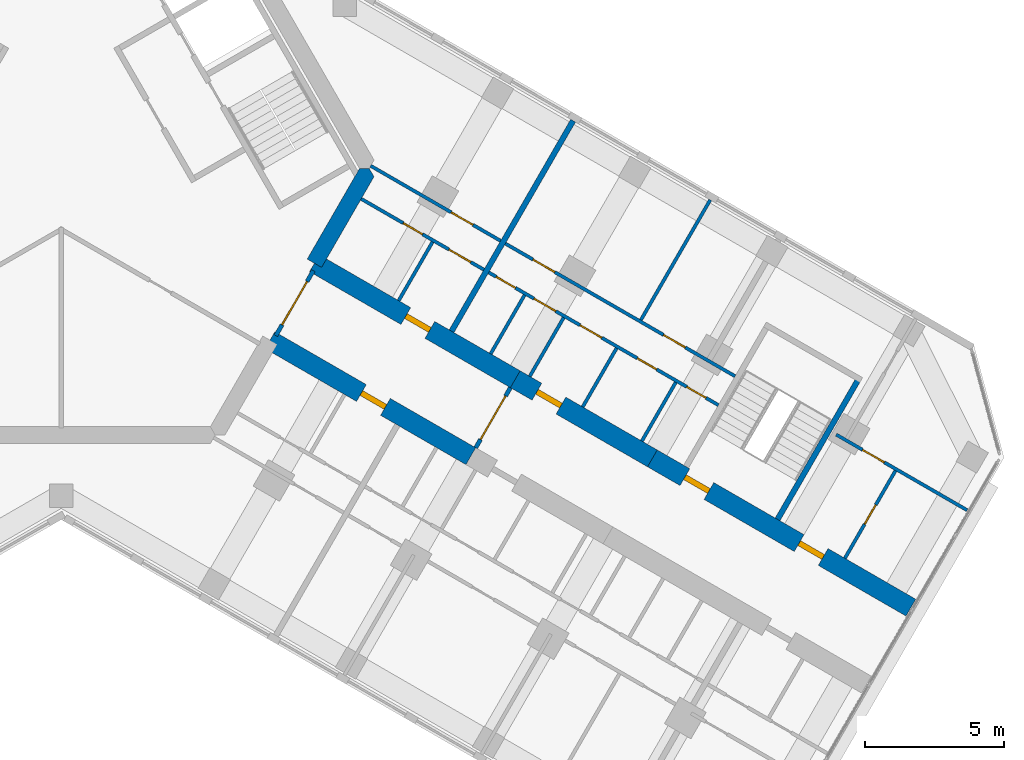
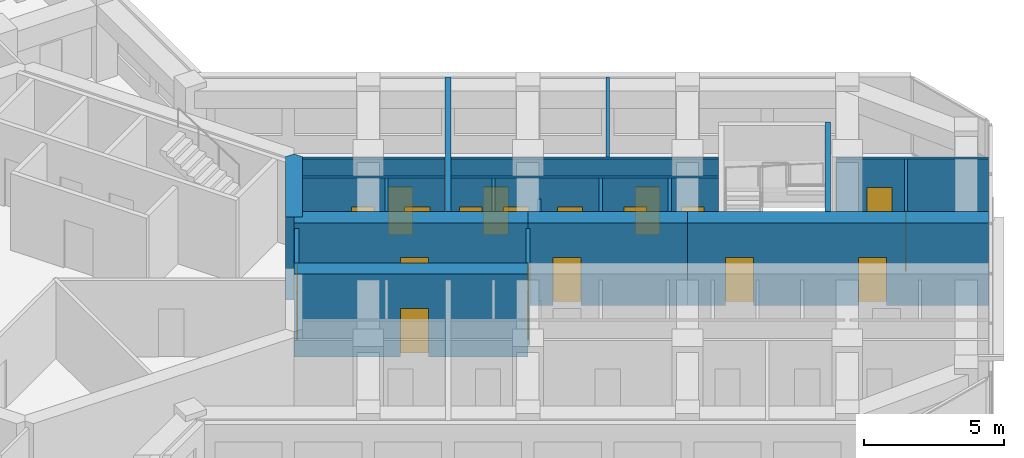
# One storey, part 12 of 16: 21 walls, 19 doors, 19 openings.
"""IFC4 building model written with IfcOpenShell, lengths in metres."""

from ifc_helpers import new_model, si_unit, direction, frame, frame_2d, origin, place, context, subcontext, project, spatial, polyline, rectangle, outline, extrude, material, layer, layer_set, type_object, element, fill, save


model = new_model("IFC4")

# Units and contexts
model_context = context("Model", 3, precision=1e-05, world=origin(), true_north=direction((0.0, 1.0)))
body_context = subcontext(model_context, "Body", "Model", "MODEL_VIEW")
ifc_project = project(units=[si_unit("LENGTHUNIT", "METRE"), si_unit("AREAUNIT", "SQUARE_METRE"), si_unit("VOLUMEUNIT", "CUBIC_METRE"), si_unit("PLANEANGLEUNIT", "RADIAN"), si_unit("MASSUNIT", "GRAM", prefix="KILO")], contexts=[model_context])

# Site, building, storey
site_placement = place(None, origin())
site = spatial("IfcSite", under=ifc_project, at=site_placement, CompositionType="ELEMENT")
building_placement = place(site_placement, origin())
building = spatial("IfcBuilding", under=site, at=building_placement, Name="Kosmar Iwan School Tower", CompositionType="ELEMENT")
storey_placement = place(building_placement, frame((0.0, 0.0, 242.39990234375)))
storey = spatial("IfcBuildingStorey", under=building, at=storey_placement, Name="L61", CompositionType="ELEMENT", Elevation=242.39990234375)

# Wall
ifc_material_1 = material(Name="Concrete C50/60", Category="concrete")
ifc_layer_1 = layer(ifc_material_1, 0.60009765625)
ifc_layer_set_1 = layer_set([ifc_layer_1], Name="Core wall 600")
wall_type_1 = type_object("IfcWallType", Name="Core wall 600", PredefinedType="SHEAR", material=ifc_layer_set_1)
wall_1_placement = place(storey_placement, origin())
element("IfcWall", 1, at=wall_1_placement, inside=storey, type_object=wall_type_1, Name="Core wall F330b", PredefinedType="SHEAR", context=body_context, shape_type="SweptSolid", body=[
    extrude(outline(polyline([(9.37353515625, -3.564453125), (11.25830078125, -0.300048828125), (11.085205078125, 0.0), (10.73876953125, 0.0), (8.85400390625, -3.264404296875), (9.37353515625, -3.564453125)])), origin(), (0.0, 0.0, 1.0), 3.60009765625),
])

# Wall, opening, door
ifc_material_2 = material(Name="Concrete C50/60", Category="concrete")
ifc_layer_2 = layer(ifc_material_2, 0.699951171875)
ifc_layer_set_2 = layer_set([ifc_layer_2], Name="Corridor buttress wall 700")
wall_type_2 = type_object("IfcWallType", Name="Corridor buttress wall 700", PredefinedType="SHEAR", material=ifc_layer_set_2)
wall_2_placement = place(storey_placement, frame((9.11376953125, -3.414306640625, 0.0), z_axis=(0.0, 0.0, 1.0), x_axis=(0.866026859388, -0.499997478812, 0.0)))
wall_2 = element("IfcWall", 2, at=wall_2_placement, inside=storey, type_object=wall_type_2, Name="Corridor wall CL", PredefinedType="SHEAR", context=body_context, shape_type="SweptSolid", body=[
    extrude(rectangle(XDim=8.35009765625, YDim=0.699951171875, at=frame_2d((4.175048828125, 0.0))), origin(), (0.0, 0.0, 1.0), 3.60009765625),
])
opening_1_placement = place(wall_2_placement, frame((3.800048828125, 0.0, 0.0)))
opening_1 = element("IfcOpeningElement", 3, at=opening_1_placement, cuts=wall_2, Name="Opening D1", PredefinedType="OPENING", context=body_context, shape_type="SweptSolid", body=[
    extrude(rectangle(XDim=1.0, YDim=2.10009765625, at=frame_2d((0.5, 1.050048828125))), frame((0.0, 0.362060546875, 0.0), z_axis=(0.0, -1.0, 0.0), x_axis=(1.0, 0.0, 0.0)), (0.0, 0.0, 1.0), 0.723876953125),
])
ifc_material_3 = material(Name="Timber fire door in steel frame", Category="steel")
door_type_1 = type_object("IfcDoorType", Name="Flat entrance door 1000x2100", OperationType="SINGLE_SWING_LEFT", PredefinedType="DOOR", material=ifc_material_3)
door_1_placement = place(opening_1_placement, origin())
door_1 = element("IfcDoor", 4, at=door_1_placement, inside=storey, type_object=door_type_1, Name="Flat L61-CL1 entrance door", OperationType="SINGLE_SWING_LEFT", OverallHeight=2.10009765625, OverallWidth=1.0, PredefinedType="DOOR", context=body_context, shape_type="SweptSolid", body=[
    extrude(rectangle(XDim=1.0, YDim=2.10009765625, at=frame_2d((0.5, 1.050048828125))), frame((0.0, 0.10009765625, 0.0), z_axis=(0.0, -1.0, 0.0), x_axis=(1.0, 0.0, 0.0)), (0.0, 0.0, 1.0), 0.199951171875),
])
fill(opening_1, door_1)

wall_3_placement = place(storey_placement, frame((16.34521484375, -7.58935546875, 0.0), z_axis=(0.0, 0.0, 1.0), x_axis=(0.866015111908, -0.50001782563, 0.0)))
wall_3 = element("IfcWall", 5, at=wall_3_placement, inside=storey, type_object=wall_type_2, Name="Corridor wall CL bay 2", PredefinedType="SHEAR", context=body_context, shape_type="SweptSolid", body=[
    extrude(rectangle(XDim=5.699951171875, YDim=0.699951171875, at=frame_2d((2.85009765625, 0.0))), origin(), (0.0, 0.0, 1.0), 3.60009765625),
])
opening_2_placement = place(wall_3_placement, frame((0.89990234375, 0.0, 0.0)))
opening_2 = element("IfcOpeningElement", 6, at=opening_2_placement, cuts=wall_3, Name="Opening D1", PredefinedType="OPENING", context=body_context, shape_type="SweptSolid", body=[
    extrude(rectangle(XDim=1.0, YDim=2.10009765625, at=frame_2d((0.5, 1.050048828125))), frame((0.0, 0.362060546875, 0.0), z_axis=(0.0, -1.0, 0.0), x_axis=(1.0, 0.0, 0.0)), (0.0, 0.0, 1.0), 0.723876953125),
])
door_2_placement = place(opening_2_placement, origin())
door_2 = element("IfcDoor", 7, at=door_2_placement, inside=storey, type_object=door_type_1, Name="Flat L61-CL2 entrance door", OperationType="SINGLE_SWING_LEFT", OverallHeight=2.10009765625, OverallWidth=1.0, PredefinedType="DOOR", context=body_context, shape_type="SweptSolid", body=[
    extrude(rectangle(XDim=1.0, YDim=2.10009765625, at=frame_2d((0.5, 1.050048828125))), frame((0.0, 0.10009765625, 0.0), z_axis=(0.0, -1.0, 0.0), x_axis=(1.0, 0.0, 0.0)), (0.0, 0.0, 1.0), 0.199951171875),
])
fill(opening_2, door_2)

# Wall, openings, doors
wall_4_placement = place(storey_placement, frame((21.281494140625, -10.439453125, 0.0), z_axis=(0.0, 0.0, 1.0), x_axis=(0.866032345022, -0.499987977232, 0.0)))
wall_4 = element("IfcWall", 8, at=wall_4_placement, inside=storey, type_object=wall_type_2, Name="Corridor wall CL bay 3", PredefinedType="SHEAR", context=body_context, shape_type="SweptSolid", body=[
    extrude(rectangle(XDim=10.744873046875, YDim=0.699951171875, at=frame_2d((5.37255859375, 0.0))), origin(), (0.0, 0.0, 1.0), 3.60009765625),
])
opening_3_placement = place(wall_4_placement, frame((6.10009765625, 0.0, 0.0)))
opening_3 = element("IfcOpeningElement", 9, at=opening_3_placement, cuts=wall_4, Name="Opening D1", PredefinedType="OPENING", context=body_context, shape_type="SweptSolid", body=[
    extrude(rectangle(XDim=1.0, YDim=2.10009765625, at=frame_2d((0.5, 1.050048828125))), frame((0.0, 0.362060546875, 0.0), z_axis=(0.0, -1.0, 0.0), x_axis=(1.0, 0.0, 0.0)), (0.0, 0.0, 1.0), 0.723876953125),
])
opening_4_placement = place(wall_4_placement, frame((1.35009765625, 0.0, 0.0)))
opening_4 = element("IfcOpeningElement", 10, at=opening_4_placement, cuts=wall_4, Name="Opening D6", PredefinedType="OPENING", context=body_context, shape_type="SweptSolid", body=[
    extrude(rectangle(XDim=1.0, YDim=2.10009765625, at=frame_2d((0.5, 1.050048828125))), frame((0.0, 0.362060546875, 0.0), z_axis=(0.0, -1.0, 0.0), x_axis=(1.0, 0.0, 0.0)), (0.0, 0.0, 1.0), 0.723876953125),
])
door_3_placement = place(opening_3_placement, origin())
door_3 = element("IfcDoor", 11, at=door_3_placement, inside=storey, type_object=door_type_1, Name="Flat L61-CL3 entrance door", OperationType="SINGLE_SWING_RIGHT", OverallHeight=2.10009765625, OverallWidth=1.0, PredefinedType="DOOR", context=body_context, shape_type="SweptSolid", body=[
    extrude(rectangle(XDim=1.0, YDim=2.10009765625, at=frame_2d((0.5, 1.050048828125))), frame((0.0, 0.10009765625, 0.0), z_axis=(0.0, -1.0, 0.0), x_axis=(1.0, 0.0, 0.0)), (0.0, 0.0, 1.0), 0.199951171875),
])
fill(opening_3, door_3)
ifc_material_4 = material(Name="Steel fire door", Category="steel")
door_type_2 = type_object("IfcDoorType", Name="Stair door 1000x2100", OperationType="SINGLE_SWING_LEFT", PredefinedType="DOOR", material=ifc_material_4)
door_4_placement = place(opening_4_placement, origin())
door_4 = element("IfcDoor", 12, at=door_4_placement, inside=storey, type_object=door_type_2, Name="Stair WS3 door L61", OperationType="SINGLE_SWING_LEFT", OverallHeight=2.10009765625, OverallWidth=1.0, PredefinedType="DOOR", context=body_context, shape_type="SweptSolid", body=[
    extrude(rectangle(XDim=1.0, YDim=2.10009765625, at=frame_2d((0.5, 1.050048828125))), frame((0.0, 0.10009765625, 0.0), z_axis=(0.0, -1.0, 0.0), x_axis=(1.0, 0.0, 0.0)), (0.0, 0.0, 1.0), 0.199951171875),
])
fill(opening_4, door_4)

# Wall, opening, door
wall_5_placement = place(storey_placement, frame((7.513916015625, -6.185546875, 0.0), z_axis=(0.0, 0.0, 1.0), x_axis=(0.866019549707, -0.500010139422, 0.0)))
wall_5 = element("IfcWall", 13, at=wall_5_placement, inside=storey, type_object=wall_type_2, Name="Corridor wall CR", PredefinedType="SHEAR", context=body_context, shape_type="SweptSolid", body=[
    extrude(rectangle(XDim=8.349853515625, YDim=0.699951171875, at=frame_2d((4.1748046875, 0.0))), origin(), (0.0, 0.0, 1.0), 3.60009765625),
])
opening_5_placement = place(wall_5_placement, frame((3.800048828125, 0.0, 0.0)))
opening_5 = element("IfcOpeningElement", 14, at=opening_5_placement, cuts=wall_5, Name="Opening D1", PredefinedType="OPENING", context=body_context, shape_type="SweptSolid", body=[
    extrude(rectangle(XDim=1.0, YDim=2.10009765625, at=frame_2d((0.5, 1.050048828125))), frame((0.0, 0.362060546875, 0.0), z_axis=(0.0, -1.0, 0.0), x_axis=(1.0, 0.0, 0.0)), (0.0, 0.0, 1.0), 0.723876953125),
])
door_5_placement = place(opening_5_placement, origin())
door_5 = element("IfcDoor", 15, at=door_5_placement, inside=storey, type_object=door_type_1, Name="Flat L61-CR1 entrance door", OperationType="SINGLE_SWING_RIGHT", OverallHeight=2.10009765625, OverallWidth=1.0, PredefinedType="DOOR", context=body_context, shape_type="SweptSolid", body=[
    extrude(rectangle(XDim=1.0, YDim=2.10009765625, at=frame_2d((0.5, 1.050048828125))), frame((0.0, 0.10009765625, 0.0), z_axis=(0.0, -1.0, 0.0), x_axis=(1.0, 0.0, 0.0)), (0.0, 0.0, 1.0), 0.199951171875),
])
fill(opening_5, door_5)

ifc_material_5 = material(Name="Gypsum board on steel studs, fire-rated", Category="steel")
ifc_layer_3 = layer(ifc_material_5, 0.14990234375)
ifc_layer_set_3 = layer_set([ifc_layer_3], Name="Corridor end wall 150")
wall_type_3 = type_object("IfcWallType", Name="Corridor end wall 150", PredefinedType="PARTITIONING", material=ifc_layer_set_3)
wall_6_placement = place(storey_placement, frame((14.920166015625, -10.0576171875, 0.0), z_axis=(0.0, 0.0, 1.0), x_axis=(0.500004234368, 0.866022959057, 0.0)))
wall_6 = element("IfcWall", 16, at=wall_6_placement, inside=storey, type_object=wall_type_3, Name="Partition L61-C-HW", PredefinedType="PARTITIONING", context=body_context, shape_type="SweptSolid", body=[
    extrude(rectangle(XDim=2.5, YDim=0.14990234375, at=frame_2d((1.25, 0.0))), origin(), (0.0, 0.0, 1.0), 3.35009765625),
])
opening_6_placement = place(wall_6_placement, frame((0.35009765625, 0.0, 0.0)))
opening_6 = element("IfcOpeningElement", 17, at=opening_6_placement, cuts=wall_6, Name="Opening D9", PredefinedType="OPENING", context=body_context, shape_type="SweptSolid", body=[
    extrude(rectangle(XDim=1.800048828125, YDim=2.10009765625, at=frame_2d((0.89990234375, 1.050048828125))), frame((0.0, 0.0869140625, 0.0), z_axis=(0.0, -1.0, 0.0), x_axis=(1.0, 0.0, 0.0)), (0.0, 0.0, 1.0), 0.173828125),
])
ifc_material_6 = material(Name="Steel framed glazed smoke door", Category="steel")
door_type_3 = type_object("IfcDoorType", Name="Corridor smoke door pair 1800x2100", OperationType="DOUBLE_DOOR_DOUBLE_SWING", PredefinedType="DOOR", material=ifc_material_6)
door_6_placement = place(opening_6_placement, origin())
door_6 = element("IfcDoor", 18, at=door_6_placement, inside=storey, type_object=door_type_3, Name="Entrance vestibule smoke doors L61-C", OperationType="DOUBLE_DOOR_DOUBLE_SWING", OverallHeight=2.10009765625, OverallWidth=1.800048828125, PredefinedType="DOOR", context=body_context, shape_type="SweptSolid", body=[
    extrude(rectangle(XDim=1.800048828125, YDim=2.10009765625, at=frame_2d((0.89990234375, 1.050048828125))), frame((0.0, 0.02490234375, 0.0), z_axis=(0.0, -1.0, 0.0), x_axis=(1.0, 0.0, 0.0)), (0.0, 0.0, 1.0), 0.050048828125),
])
fill(opening_6, door_6)

ifc_material_7 = material(Name="Steel framed glazed screen", Category="steel")
ifc_layer_4 = layer(ifc_material_7, 0.14990234375)
ifc_layer_set_4 = layer_set([ifc_layer_4], Name="Corridor screen wall 150")
wall_type_4 = type_object("IfcWallType", Name="Corridor screen wall 150", PredefinedType="PARTITIONING", material=ifc_layer_set_4)
wall_7_placement = place(storey_placement, frame((7.725341796875, -6.01904296875, 0.0), z_axis=(0.0, 0.0, 1.0), x_axis=(0.500048589285, 0.86599734893, 0.0)))
wall_7 = element("IfcWall", 19, at=wall_7_placement, inside=storey, type_object=wall_type_4, Name="Corridor screen C L61", PredefinedType="PARTITIONING", context=body_context, shape_type="SweptSolid", body=[
    extrude(rectangle(XDim=2.699951171875, YDim=0.14990234375, at=frame_2d((1.35009765625, 0.0))), origin(), (0.0, 0.0, 1.0), 3.35009765625),
])
opening_7_placement = place(wall_7_placement, frame((0.449951171875, 0.0, 0.0)))
opening_7 = element("IfcOpeningElement", 20, at=opening_7_placement, cuts=wall_7, Name="Opening D9", PredefinedType="OPENING", context=body_context, shape_type="SweptSolid", body=[
    extrude(rectangle(XDim=1.800048828125, YDim=2.10009765625, at=frame_2d((0.89990234375, 1.050048828125))), frame((0.0, 0.0869140625, 0.0), z_axis=(0.0, -1.0, 0.0), x_axis=(1.0, 0.0, 0.0)), (0.0, 0.0, 1.0), 0.173828125),
])
door_7_placement = place(opening_7_placement, origin())
door_7 = element("IfcDoor", 21, at=door_7_placement, inside=storey, type_object=door_type_3, Name="Corridor doors C L61", OperationType="DOUBLE_DOOR_DOUBLE_SWING", OverallHeight=2.10009765625, OverallWidth=1.800048828125, PredefinedType="DOOR", context=body_context, shape_type="SweptSolid", body=[
    extrude(rectangle(XDim=1.800048828125, YDim=2.10009765625, at=frame_2d((0.89990234375, 1.050048828125))), frame((0.0, 0.02490234375, 0.0), z_axis=(0.0, -1.0, 0.0), x_axis=(1.0, 0.0, 0.0)), (0.0, 0.0, 1.0), 0.050048828125),
])
fill(opening_7, door_7)

# Wall, openings, doors
ifc_material_8 = material(Name="Gypsum board on steel studs", Category="steel")
ifc_layer_5 = layer(ifc_material_8, 0.1201171875)
ifc_layer_set_5 = layer_set([ifc_layer_5], Name="Dwelling partition 120")
wall_type_5 = type_object("IfcWallType", Name="Dwelling partition 120", PredefinedType="PARTITIONING", material=ifc_layer_set_5)
wall_8_placement = place(storey_placement, frame((10.798583984375, -1.09619140625, 0.0), z_axis=(0.0, 0.0, 1.0), x_axis=(0.86602216432, -0.500005610874, 0.0)))
wall_8 = element("IfcWall", 22, at=wall_8_placement, inside=storey, type_object=wall_type_5, Name="Partition L61-CL1-W1", PredefinedType="PARTITIONING", context=body_context, shape_type="SweptSolid", body=[
    extrude(rectangle(XDim=5.10009765625, YDim=0.1201171875, at=frame_2d((2.550048828125, 0.0))), origin(), (0.0, 0.0, 1.0), 3.35009765625),
])
opening_8_placement = place(wall_8_placement, frame((1.75, 0.0, 0.0)))
opening_8 = element("IfcOpeningElement", 23, at=opening_8_placement, cuts=wall_8, Name="Opening D3", PredefinedType="OPENING", context=body_context, shape_type="SweptSolid", body=[
    extrude(rectangle(XDim=0.800048828125, YDim=2.10009765625, at=frame_2d((0.39990234375, 1.050048828125))), frame((0.0, 0.072021484375, 0.0), z_axis=(0.0, -1.0, 0.0), x_axis=(1.0, 0.0, 0.0)), (0.0, 0.0, 1.0), 0.14404296875),
])
opening_9_placement = place(wall_8_placement, frame((3.64990234375, 0.0, 0.0)))
opening_9 = element("IfcOpeningElement", 24, at=opening_9_placement, cuts=wall_8, Name="Opening D2", PredefinedType="OPENING", context=body_context, shape_type="SweptSolid", body=[
    extrude(rectangle(XDim=0.89990234375, YDim=2.10009765625, at=frame_2d((0.449951171875, 1.050048828125))), frame((0.0, 0.072021484375, 0.0), z_axis=(0.0, -1.0, 0.0), x_axis=(1.0, 0.0, 0.0)), (0.0, 0.0, 1.0), 0.14404296875),
])
ifc_material_9 = material(Name="Timber door in timber frame", Category="wood")
door_type_4 = type_object("IfcDoorType", Name="Internal door 900x2100", OperationType="SINGLE_SWING_LEFT", PredefinedType="DOOR", material=ifc_material_9)
door_8_placement = place(opening_9_placement, origin())
door_8 = element("IfcDoor", 25, at=door_8_placement, inside=storey, type_object=door_type_4, Name="Entrance hall door L61-CL1-S2", OperationType="SINGLE_SWING_RIGHT", OverallHeight=2.10009765625, OverallWidth=0.89990234375, PredefinedType="DOOR", context=body_context, shape_type="SweptSolid", body=[
    extrude(rectangle(XDim=0.89990234375, YDim=2.10009765625, at=frame_2d((0.449951171875, 1.050048828125))), frame((0.0, 0.02490234375, 0.0), z_axis=(0.0, -1.0, 0.0), x_axis=(1.0, 0.0, 0.0)), (0.0, 0.0, 1.0), 0.050048828125),
])
fill(opening_9, door_8)
ifc_material_10 = material(Name="Timber door in timber frame", Category="wood")
door_type_5 = type_object("IfcDoorType", Name="Sanitary room door 800x2100", OperationType="SINGLE_SWING_LEFT", PredefinedType="DOOR", material=ifc_material_10)
door_9_placement = place(opening_8_placement, origin())
door_9 = element("IfcDoor", 26, at=door_9_placement, inside=storey, type_object=door_type_5, Name="Bathroom door L61-CL1-S1", OperationType="SINGLE_SWING_LEFT", OverallHeight=2.10009765625, OverallWidth=0.800048828125, PredefinedType="DOOR", context=body_context, shape_type="SweptSolid", body=[
    extrude(rectangle(XDim=0.800048828125, YDim=2.10009765625, at=frame_2d((0.39990234375, 1.050048828125))), frame((0.0, 0.02490234375, 0.0), z_axis=(0.0, -1.0, 0.0), x_axis=(1.0, 0.0, 0.0)), (0.0, 0.0, 1.0), 0.050048828125),
])
fill(opening_8, door_9)

# Wall, opening, door
wall_9_placement = place(storey_placement, frame((11.138916015625, 0.093017578125, 0.0), z_axis=(0.0, 0.0, 1.0), x_axis=(0.866028230842, -0.499995103361, 0.0)))
wall_9 = element("IfcWall", 27, at=wall_9_placement, inside=storey, type_object=wall_type_5, Name="Partition L61-CL1-W2", PredefinedType="PARTITIONING", context=body_context, shape_type="SweptSolid", body=[
    extrude(rectangle(XDim=5.39990234375, YDim=0.1201171875, at=frame_2d((2.699951171875, 0.0))), origin(), (0.0, 0.0, 1.0), 3.35009765625),
])
opening_10_placement = place(wall_9_placement, frame((3.35009765625, 0.0, 0.0)))
opening_10 = element("IfcOpeningElement", 28, at=opening_10_placement, cuts=wall_9, Name="Opening D2", PredefinedType="OPENING", context=body_context, shape_type="SweptSolid", body=[
    extrude(rectangle(XDim=0.89990234375, YDim=2.10009765625, at=frame_2d((0.449951171875, 1.050048828125))), frame((0.0, 0.072021484375, 0.0), z_axis=(0.0, -1.0, 0.0), x_axis=(1.0, 0.0, 0.0)), (0.0, 0.0, 1.0), 0.14404296875),
])
door_10_placement = place(opening_10_placement, origin())
door_10 = element("IfcDoor", 29, at=door_10_placement, inside=storey, type_object=door_type_4, Name="Studio living room and kitchen door L61-CL1-F1", OperationType="SINGLE_SWING_RIGHT", OverallHeight=2.10009765625, OverallWidth=0.89990234375, PredefinedType="DOOR", context=body_context, shape_type="SweptSolid", body=[
    extrude(rectangle(XDim=0.89990234375, YDim=2.10009765625, at=frame_2d((0.449951171875, 1.050048828125))), frame((0.0, 0.02490234375, 0.0), z_axis=(0.0, -1.0, 0.0), x_axis=(1.0, 0.0, 0.0)), (0.0, 0.0, 1.0), 0.050048828125),
])
fill(opening_10, door_10)

# Wall
wall_10_placement = place(storey_placement, frame((12.146728515625, -4.76123046875, 0.0), z_axis=(0.0, 0.0, 1.0), x_axis=(0.500002508028, 0.866023955769, 0.0)))
element("IfcWall", 30, at=wall_10_placement, inside=storey, type_object=wall_type_5, Name="Partition L61-CL1-Y1", PredefinedType="PARTITIONING", context=body_context, shape_type="SweptSolid", body=[
    extrude(rectangle(XDim=2.43994140625, YDim=0.1201171875, at=frame_2d((1.219970703125, 0.0))), origin(), (0.0, 0.0, 1.0), 3.35009765625),
])

# Wall, openings, doors
wall_11_placement = place(storey_placement, frame((15.388671875, -3.74609375, 0.0), z_axis=(0.0, 0.0, 1.0), x_axis=(0.866017851049, -0.500013081493, 0.0)))
wall_11 = element("IfcWall", 31, at=wall_11_placement, inside=storey, type_object=wall_type_5, Name="Partition L61-CL2-W1", PredefinedType="PARTITIONING", context=body_context, shape_type="SweptSolid", body=[
    extrude(rectangle(XDim=9.550048828125, YDim=0.1201171875, at=frame_2d((4.77490234375, 0.0))), origin(), (0.0, 0.0, 1.0), 3.35009765625),
])
opening_11_placement = place(wall_11_placement, frame((0.3125, 0.0, 0.0)))
opening_11 = element("IfcOpeningElement", 32, at=opening_11_placement, cuts=wall_11, Name="Opening D3", PredefinedType="OPENING", context=body_context, shape_type="SweptSolid", body=[
    extrude(rectangle(XDim=0.800048828125, YDim=2.10009765625, at=frame_2d((0.39990234375, 1.050048828125))), frame((0.0, 0.072021484375, 0.0), z_axis=(0.0, -1.0, 0.0), x_axis=(1.0, 0.0, 0.0)), (0.0, 0.0, 1.0), 0.14404296875),
])
opening_12_placement = place(wall_11_placement, frame((1.887451171875, 0.0, 0.0)))
opening_12 = element("IfcOpeningElement", 33, at=opening_12_placement, cuts=wall_11, Name="Opening D2", PredefinedType="OPENING", context=body_context, shape_type="SweptSolid", body=[
    extrude(rectangle(XDim=0.89990234375, YDim=2.10009765625, at=frame_2d((0.449951171875, 1.050048828125))), frame((0.0, 0.072021484375, 0.0), z_axis=(0.0, -1.0, 0.0), x_axis=(1.0, 0.0, 0.0)), (0.0, 0.0, 1.0), 0.14404296875),
])
opening_13_placement = place(wall_11_placement, frame((3.800048828125, 0.0, 0.0)))
opening_13 = element("IfcOpeningElement", 34, at=opening_13_placement, cuts=wall_11, Name="Opening D2", PredefinedType="OPENING", context=body_context, shape_type="SweptSolid", body=[
    extrude(rectangle(XDim=0.89990234375, YDim=2.10009765625, at=frame_2d((0.449951171875, 1.050048828125))), frame((0.0, 0.072021484375, 0.0), z_axis=(0.0, -1.0, 0.0), x_axis=(1.0, 0.0, 0.0)), (0.0, 0.0, 1.0), 0.14404296875),
])
opening_14_placement = place(wall_11_placement, frame((6.179931640625, 0.0, 0.0)))
opening_14 = element("IfcOpeningElement", 35, at=opening_14_placement, cuts=wall_11, Name="Opening D3", PredefinedType="OPENING", context=body_context, shape_type="SweptSolid", body=[
    extrude(rectangle(XDim=0.800048828125, YDim=2.10009765625, at=frame_2d((0.39990234375, 1.050048828125))), frame((0.0, 0.072021484375, 0.0), z_axis=(0.0, -1.0, 0.0), x_axis=(1.0, 0.0, 0.0)), (0.0, 0.0, 1.0), 0.14404296875),
])
opening_15_placement = place(wall_11_placement, frame((8.22998046875, 0.0, 0.0)))
opening_15 = element("IfcOpeningElement", 36, at=opening_15_placement, cuts=wall_11, Name="Opening D3", PredefinedType="OPENING", context=body_context, shape_type="SweptSolid", body=[
    extrude(rectangle(XDim=0.800048828125, YDim=2.10009765625, at=frame_2d((0.39990234375, 1.050048828125))), frame((0.0, 0.072021484375, 0.0), z_axis=(0.0, -1.0, 0.0), x_axis=(1.0, 0.0, 0.0)), (0.0, 0.0, 1.0), 0.14404296875),
])
door_11_placement = place(opening_12_placement, origin())
door_11 = element("IfcDoor", 37, at=door_11_placement, inside=storey, type_object=door_type_4, Name="Pantry door L61-CL2-S2", OperationType="SINGLE_SWING_LEFT", OverallHeight=2.10009765625, OverallWidth=0.89990234375, PredefinedType="DOOR", context=body_context, shape_type="SweptSolid", body=[
    extrude(rectangle(XDim=0.89990234375, YDim=2.10009765625, at=frame_2d((0.449951171875, 1.050048828125))), frame((0.0, 0.02490234375, 0.0), z_axis=(0.0, -1.0, 0.0), x_axis=(1.0, 0.0, 0.0)), (0.0, 0.0, 1.0), 0.050048828125),
])
fill(opening_12, door_11)
door_12_placement = place(opening_13_placement, origin())
door_12 = element("IfcDoor", 38, at=door_12_placement, inside=storey, type_object=door_type_4, Name="Entrance hall door L61-CL2-S3", OperationType="SINGLE_SWING_LEFT", OverallHeight=2.10009765625, OverallWidth=0.89990234375, PredefinedType="DOOR", context=body_context, shape_type="SweptSolid", body=[
    extrude(rectangle(XDim=0.89990234375, YDim=2.10009765625, at=frame_2d((0.449951171875, 1.050048828125))), frame((0.0, 0.02490234375, 0.0), z_axis=(0.0, -1.0, 0.0), x_axis=(1.0, 0.0, 0.0)), (0.0, 0.0, 1.0), 0.050048828125),
])
fill(opening_13, door_12)
door_13_placement = place(opening_11_placement, origin())
door_13 = element("IfcDoor", 39, at=door_13_placement, inside=storey, type_object=door_type_5, Name="Store door L61-CL2-S1", OperationType="SINGLE_SWING_LEFT", OverallHeight=2.10009765625, OverallWidth=0.800048828125, PredefinedType="DOOR", context=body_context, shape_type="SweptSolid", body=[
    extrude(rectangle(XDim=0.800048828125, YDim=2.10009765625, at=frame_2d((0.39990234375, 1.050048828125))), frame((0.0, 0.02490234375, 0.0), z_axis=(0.0, -1.0, 0.0), x_axis=(1.0, 0.0, 0.0)), (0.0, 0.0, 1.0), 0.050048828125),
])
fill(opening_11, door_13)
door_14_placement = place(opening_14_placement, origin())
door_14 = element("IfcDoor", 40, at=door_14_placement, inside=storey, type_object=door_type_5, Name="Bathroom door L61-CL2-S4", OperationType="SINGLE_SWING_RIGHT", OverallHeight=2.10009765625, OverallWidth=0.800048828125, PredefinedType="DOOR", context=body_context, shape_type="SweptSolid", body=[
    extrude(rectangle(XDim=0.800048828125, YDim=2.10009765625, at=frame_2d((0.39990234375, 1.050048828125))), frame((0.0, 0.02490234375, 0.0), z_axis=(0.0, -1.0, 0.0), x_axis=(1.0, 0.0, 0.0)), (0.0, 0.0, 1.0), 0.050048828125),
])
fill(opening_14, door_14)
door_15_placement = place(opening_15_placement, origin())
door_15 = element("IfcDoor", 41, at=door_15_placement, inside=storey, type_object=door_type_5, Name="WC door L61-CL2-S5", OperationType="SINGLE_SWING_RIGHT", OverallHeight=2.10009765625, OverallWidth=0.800048828125, PredefinedType="DOOR", context=body_context, shape_type="SweptSolid", body=[
    extrude(rectangle(XDim=0.800048828125, YDim=2.10009765625, at=frame_2d((0.39990234375, 1.050048828125))), frame((0.0, 0.02490234375, 0.0), z_axis=(0.0, -1.0, 0.0), x_axis=(1.0, 0.0, 0.0)), (0.0, 0.0, 1.0), 0.050048828125),
])
fill(opening_15, door_15)

wall_12_placement = place(storey_placement, frame((15.988525390625, -2.70703125, 0.0), z_axis=(0.0, 0.0, 1.0), x_axis=(0.866028920859, -0.499993908199, 0.0)))
wall_12 = element("IfcWall", 42, at=wall_12_placement, inside=storey, type_object=wall_type_5, Name="Partition L61-CL2-W2", PredefinedType="PARTITIONING", context=body_context, shape_type="SweptSolid", body=[
    extrude(rectangle(XDim=9.5498046875, YDim=0.1201171875, at=frame_2d((4.77490234375, 0.0))), origin(), (0.0, 0.0, 1.0), 3.35009765625),
])
opening_16_placement = place(wall_12_placement, frame((1.14990234375, 0.0, 0.0)))
opening_16 = element("IfcOpeningElement", 43, at=opening_16_placement, cuts=wall_12, Name="Opening D2", PredefinedType="OPENING", context=body_context, shape_type="SweptSolid", body=[
    extrude(rectangle(XDim=0.89990234375, YDim=2.10009765625, at=frame_2d((0.449951171875, 1.050048828125))), frame((0.0, 0.072021484375, 0.0), z_axis=(0.0, -1.0, 0.0), x_axis=(1.0, 0.0, 0.0)), (0.0, 0.0, 1.0), 0.14404296875),
])
opening_17_placement = place(wall_12_placement, frame((6.574951171875, 0.0, 0.0)))
opening_17 = element("IfcOpeningElement", 44, at=opening_17_placement, cuts=wall_12, Name="Opening D2", PredefinedType="OPENING", context=body_context, shape_type="SweptSolid", body=[
    extrude(rectangle(XDim=0.89990234375, YDim=2.10009765625, at=frame_2d((0.449951171875, 1.050048828125))), frame((0.0, 0.072021484375, 0.0), z_axis=(0.0, -1.0, 0.0), x_axis=(1.0, 0.0, 0.0)), (0.0, 0.0, 1.0), 0.14404296875),
])
door_16_placement = place(opening_16_placement, origin())
door_16 = element("IfcDoor", 45, at=door_16_placement, inside=storey, type_object=door_type_4, Name="Living room and kitchen door L61-CL2-F1", OperationType="SINGLE_SWING_LEFT", OverallHeight=2.10009765625, OverallWidth=0.89990234375, PredefinedType="DOOR", context=body_context, shape_type="SweptSolid", body=[
    extrude(rectangle(XDim=0.89990234375, YDim=2.10009765625, at=frame_2d((0.449951171875, 1.050048828125))), frame((0.0, 0.02490234375, 0.0), z_axis=(0.0, -1.0, 0.0), x_axis=(1.0, 0.0, 0.0)), (0.0, 0.0, 1.0), 0.050048828125),
])
fill(opening_16, door_16)
door_17_placement = place(opening_17_placement, origin())
door_17 = element("IfcDoor", 46, at=door_17_placement, inside=storey, type_object=door_type_4, Name="Bedroom 1 door L61-CL2-F2", OperationType="SINGLE_SWING_RIGHT", OverallHeight=2.10009765625, OverallWidth=0.89990234375, PredefinedType="DOOR", context=body_context, shape_type="SweptSolid", body=[
    extrude(rectangle(XDim=0.89990234375, YDim=2.10009765625, at=frame_2d((0.449951171875, 1.050048828125))), frame((0.0, 0.02490234375, 0.0), z_axis=(0.0, -1.0, 0.0), x_axis=(1.0, 0.0, 0.0)), (0.0, 0.0, 1.0), 0.050048828125),
])
fill(opening_17, door_17)

# Walls
wall_13_placement = place(storey_placement, frame((20.868408203125, -5.455078125, 0.0), z_axis=(0.0, 0.0, 1.0), x_axis=(0.499975153383, 0.86603974851, 0.0)))
element("IfcWall", 47, at=wall_13_placement, inside=storey, type_object=wall_type_5, Name="Partition L61-CL2-X1", PredefinedType="PARTITIONING", context=body_context, shape_type="SweptSolid", body=[
    extrude(rectangle(XDim=4.989990234375, YDim=0.1201171875, at=frame_2d((2.4951171875, 0.0))), origin(), (0.0, 0.0, 1.0), 3.35009765625),
])
wall_14_placement = place(storey_placement, frame((15.459228515625, -6.673828125, 0.0), z_axis=(0.0, 0.0, 1.0), x_axis=(0.499959183527, 0.866048967903, 0.0)))
element("IfcWall", 48, at=wall_14_placement, inside=storey, type_object=wall_type_5, Name="Partition L61-CL2-Y1", PredefinedType="PARTITIONING", context=body_context, shape_type="SweptSolid", body=[
    extrude(rectangle(XDim=2.440185546875, YDim=0.1201171875, at=frame_2d((1.22021484375, 0.0))), origin(), (0.0, 0.0, 1.0), 3.35009765625),
])
wall_15_placement = place(storey_placement, frame((16.866455078125, -7.486328125, 0.0), z_axis=(0.0, 0.0, 1.0), x_axis=(0.500034220881, 0.866005645448, 0.0)))
element("IfcWall", 49, at=wall_15_placement, inside=storey, type_object=wall_type_5, Name="Partition L61-CL2-Y2", PredefinedType="PARTITIONING", context=body_context, shape_type="SweptSolid", body=[
    extrude(rectangle(XDim=2.440185546875, YDim=0.1201171875, at=frame_2d((1.22021484375, 0.0))), origin(), (0.0, 0.0, 1.0), 2.4501953125),
])
for number, where, z_axis, x_axis, name in (
    (50, (18.771728515625, -8.586181640625, 0.0), (0.0, 0.0, 1.0), (0.500077547548, 0.865980627057, 0.0), "Partition L61-CL2-Y3"),
    (51, (20.90234375, -9.816162109375, 0.0), (0.0, 0.0, 1.0), (0.500002508028, 0.866023955769, 0.0), "Partition L61-CL2-Y4"),
):
    element("IfcWall", number, at=place(storey_placement, frame(where, z_axis=z_axis, x_axis=x_axis)), inside=storey, type_object=wall_type_5, Name=name, PredefinedType="PARTITIONING", context=body_context, shape_type="SweptSolid", body=[
        extrude(rectangle(XDim=2.43994140625, YDim=0.1201171875, at=frame_2d((1.219970703125, 0.0))), origin(), (0.0, 0.0, 1.0), 3.35009765625),
    ])

# Wall, opening, door
wall_16_placement = place(storey_placement, frame((27.896484375, -9.58203125, 0.0), z_axis=(0.0, 0.0, 1.0), x_axis=(0.866035508231, -0.499982498177, 0.0)))
wall_16 = element("IfcWall", 52, at=wall_16_placement, inside=storey, type_object=wall_type_5, Name="Partition L61-CL3-TW", PredefinedType="PARTITIONING", context=body_context, shape_type="SweptSolid", body=[
    extrude(rectangle(XDim=5.445068359375, YDim=0.1201171875, at=frame_2d((2.72265625, 0.0))), origin(), (0.0, 0.0, 1.0), 3.35009765625),
])
opening_18_placement = place(wall_16_placement, frame((1.10009765625, 0.0, 0.0)))
opening_18 = element("IfcOpeningElement", 53, at=opening_18_placement, cuts=wall_16, Name="Opening D2", PredefinedType="OPENING", context=body_context, shape_type="SweptSolid", body=[
    extrude(rectangle(XDim=0.89990234375, YDim=2.10009765625, at=frame_2d((0.449951171875, 1.050048828125))), frame((0.0, 0.072021484375, 0.0), z_axis=(0.0, -1.0, 0.0), x_axis=(1.0, 0.0, 0.0)), (0.0, 0.0, 1.0), 0.14404296875),
])
door_18_placement = place(opening_18_placement, origin())
door_18 = element("IfcDoor", 54, at=door_18_placement, inside=storey, type_object=door_type_4, Name="Entrance hall door L61-CL3-T3", OperationType="SINGLE_SWING_LEFT", OverallHeight=2.10009765625, OverallWidth=0.89990234375, PredefinedType="DOOR", context=body_context, shape_type="SweptSolid", body=[
    extrude(rectangle(XDim=0.89990234375, YDim=2.10009765625, at=frame_2d((0.449951171875, 1.050048828125))), frame((0.0, 0.02490234375, 0.0), z_axis=(0.0, -1.0, 0.0), x_axis=(1.0, 0.0, 0.0)), (0.0, 0.0, 1.0), 0.050048828125),
])
fill(opening_18, door_18)

wall_17_placement = place(storey_placement, frame((28.21142578125, -14.036376953125, 0.0), z_axis=(0.0, 0.0, 1.0), x_axis=(0.499983701346, 0.866034813612, 0.0)))
wall_17 = element("IfcWall", 55, at=wall_17_placement, inside=storey, type_object=wall_type_5, Name="Partition L61-CL3-TY", PredefinedType="PARTITIONING", context=body_context, shape_type="SweptSolid", body=[
    extrude(rectangle(XDim=3.64013671875, YDim=0.1201171875, at=frame_2d((1.820068359375, 0.0))), origin(), (0.0, 0.0, 1.0), 3.35009765625),
])
opening_19_placement = place(wall_17_placement, frame((1.419921875, 0.0, 0.0)))
opening_19 = element("IfcOpeningElement", 56, at=opening_19_placement, cuts=wall_17, Name="Opening D3", PredefinedType="OPENING", context=body_context, shape_type="SweptSolid", body=[
    extrude(rectangle(XDim=0.800048828125, YDim=2.10009765625, at=frame_2d((0.39990234375, 1.050048828125))), frame((0.0, 0.072021484375, 0.0), z_axis=(0.0, -1.0, 0.0), x_axis=(1.0, 0.0, 0.0)), (0.0, 0.0, 1.0), 0.14404296875),
])
door_19_placement = place(opening_19_placement, origin())
door_19 = element("IfcDoor", 57, at=door_19_placement, inside=storey, type_object=door_type_5, Name="Bathroom door L61-CL3-T4", OperationType="SINGLE_SWING_LEFT", OverallHeight=2.10009765625, OverallWidth=0.800048828125, PredefinedType="DOOR", context=body_context, shape_type="SweptSolid", body=[
    extrude(rectangle(XDim=0.800048828125, YDim=2.10009765625, at=frame_2d((0.39990234375, 1.050048828125))), frame((0.0, 0.02490234375, 0.0), z_axis=(0.0, -1.0, 0.0), x_axis=(1.0, 0.0, 0.0)), (0.0, 0.0, 1.0), 0.050048828125),
])
fill(opening_19, door_19)

# Walls
ifc_material_11 = material(Name="Concrete C35/45", Category="concrete")
ifc_layer_6 = layer(ifc_material_11, 0.199951171875)
ifc_layer_set_6 = layer_set([ifc_layer_6], Name="Escape stair wall 200")
wall_type_6 = type_object("IfcWallType", Name="Escape stair wall 200", PredefinedType="SHEAR", material=ifc_layer_set_6)
wall_18_placement = place(storey_placement, frame((25.78662109375, -12.63623046875, 0.0), z_axis=(0.0, 0.0, 1.0), x_axis=(0.500013701029, 0.866017493347, 0.0)))
element("IfcWall", 58, at=wall_18_placement, inside=storey, type_object=wall_type_6, Name="Stair WS3 wall", PredefinedType="SHEAR", context=body_context, shape_type="SweptSolid", body=[
    extrude(rectangle(XDim=5.949951171875, YDim=0.199951171875, at=frame_2d((2.97509765625, 0.0))), origin(), (0.0, 0.0, 1.0), 3.330078125),
])
ifc_material_12 = material(Name="Concrete block masonry", Category="masonry")
ifc_layer_7 = layer(ifc_material_12, 0.199951171875)
ifc_layer_set_7 = layer_set([ifc_layer_7], Name="Party wall 200")
wall_type_7 = type_object("IfcWallType", Name="Party wall 200", PredefinedType="PARTITIONING", material=ifc_layer_set_7)
wall_19_placement = place(storey_placement, frame((14.052001953125, -5.861328125, 0.0), z_axis=(0.0, 0.0, 1.0), x_axis=(0.499992152613, 0.866029934428, 0.0)))
element("IfcWall", 59, at=wall_19_placement, inside=storey, type_object=wall_type_7, Name="Partition L61-CL2-PW", PredefinedType="PARTITIONING", context=body_context, shape_type="SweptSolid", body=[
    extrude(rectangle(XDim=8.750244140625, YDim=0.199951171875, at=frame_2d((4.375, 0.0))), origin(), (0.0, 0.0, 1.0), 3.35009765625),
])

save(model, "model.ifc")
